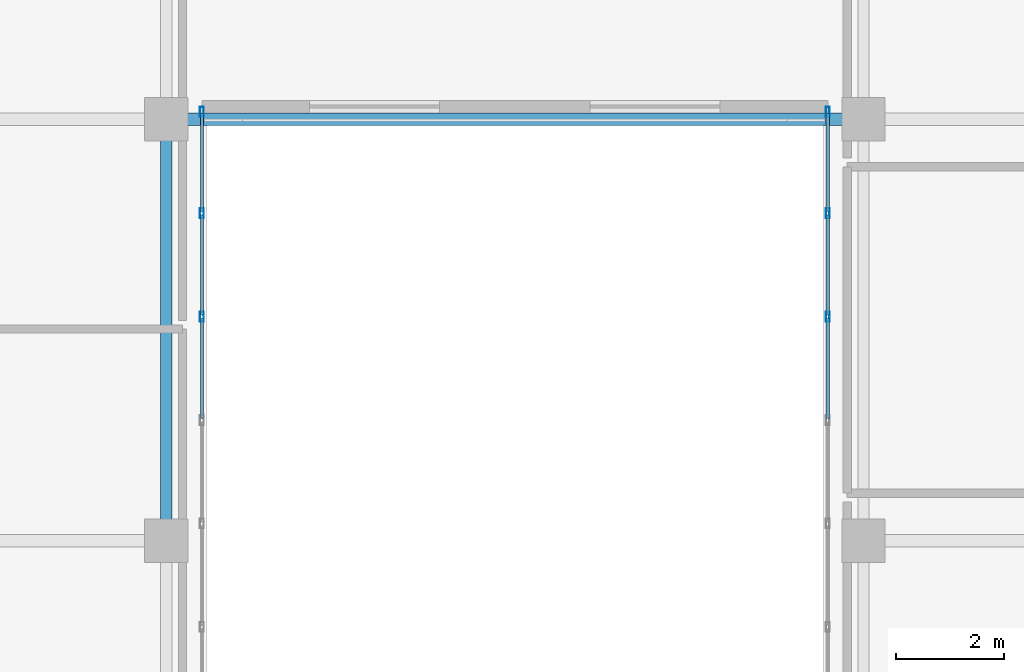
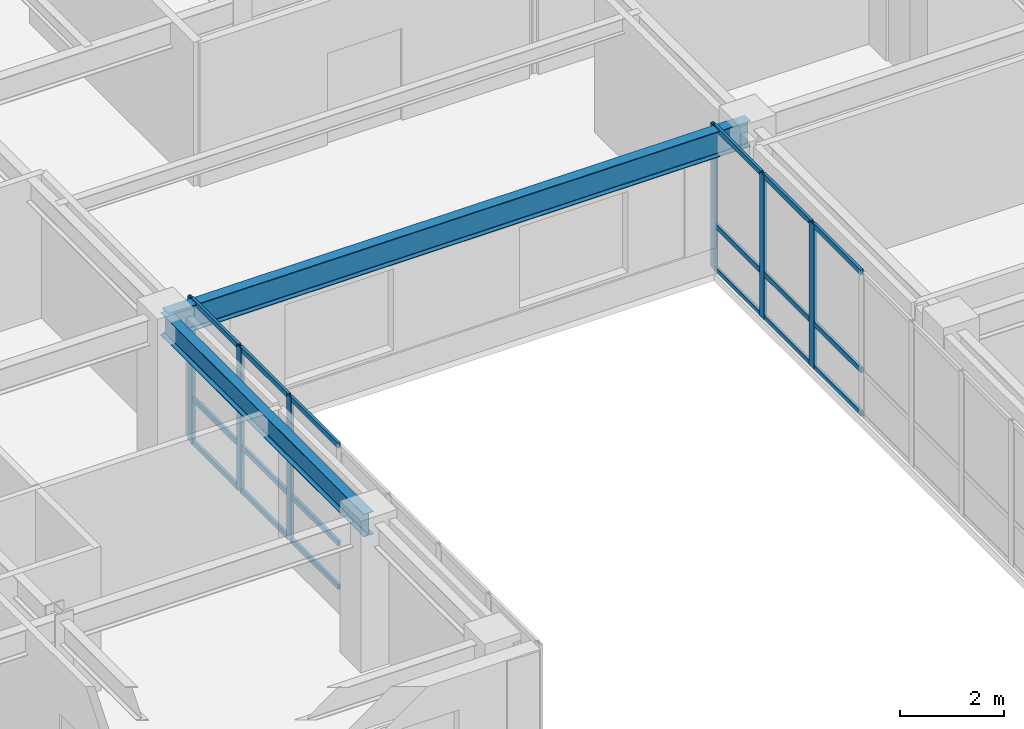
# One storey, part 8 of 28: 24 members, 2 beams, 2 elements without a shape of their own.
"""IFC4 building model written with IfcOpenShell, lengths in metres."""

from ifc_helpers import new_model, si_unit, direction, frame, origin, origin_2d, place, context, subcontext, project, spatial, hollow_rectangle, i_section, extrude, source, transform, mapped, material, layer, layer_set, material_profile, profile_set, type_object, type_shapes, element, aggregate, save


model = new_model("IFC4")

# Units and contexts
model_context = context("Model", 3, precision=1e-05, world=origin(), true_north=direction((0.0, 1.0)))
body_context = subcontext(model_context, "Body", "Model", "MODEL_VIEW")
ifc_project = project(units=[si_unit("LENGTHUNIT", "METRE"), si_unit("AREAUNIT", "SQUARE_METRE"), si_unit("VOLUMEUNIT", "CUBIC_METRE"), si_unit("PLANEANGLEUNIT", "RADIAN"), si_unit("MASSUNIT", "GRAM", prefix="KILO")], contexts=[model_context])

# Site, building, storey
site_placement = place(None, origin())
site = spatial("IfcSite", under=ifc_project, at=site_placement, CompositionType="ELEMENT")
building_placement = place(site_placement, origin())
building = spatial("IfcBuilding", under=site, at=building_placement, Name="Tolvann Quenvar Hotel", CompositionType="ELEMENT")
storey_placement = place(building_placement, frame((0.0, 0.0, 154.14990234375)))
storey = spatial("IfcBuildingStorey", under=building, at=storey_placement, Name="L40", CompositionType="ELEMENT", Elevation=154.14990234375)

# Beams
ifc_material_1 = material(Name="Steel Grade 350", Category="steel")
ifc_material_profile_1 = material_profile(ifc_material_1, i_section(OverallWidth=0.208984375, OverallDepth=0.532958984375, WebThickness=0.01025390625, FlangeThickness=0.015625, FilletRadius=0.013916015625, at=origin_2d()), Name="530UB92")
ifc_profile_set_1 = profile_set([ifc_material_profile_1], Name="Steel Grade 350")
beam_type_1 = type_object("IfcBeamType", Name="BM_GIRD_530UB92", PredefinedType="BEAM", material=ifc_profile_set_1)
shared_shape_1 = source(origin(), body_context, "Body", "SweptSolid", [
    extrude(i_section(OverallWidth=0.208984375, OverallDepth=0.532958984375, WebThickness=0.01025390625, FlangeThickness=0.015625, FilletRadius=0.013916015625, at=origin_2d()), origin(), (0.0, 0.0, 1.0), 7.800048828125),
])
type_shapes(beam_type_1, [shared_shape_1])
beam_1_placement = place(storey_placement, frame((22.050048828125, 8.199951171875, 3.103515625), z_axis=(0.0, 1.0, 0.0), x_axis=(-1.0, 0.0, 0.0)))
element("IfcBeam", 1, at=beam_1_placement, inside=storey, type_object=beam_type_1, Name="BM-L40-NS-E3-E4", PredefinedType="BEAM", context=body_context, shape_type="MappedRepresentation", body=[
    mapped(shared_shape_1, transform((0.0, 0.0, 0.0), x_axis=(1.0, 0.0, 0.0), y_axis=(0.0, 1.0, 0.0), z_axis=(0.0, 0.0, 1.0), scale=1.0)),
])
ifc_material_profile_2 = material_profile(ifc_material_1, i_section(OverallWidth=0.22802734375, OverallDepth=0.60205078125, WebThickness=0.010498046875, FlangeThickness=0.014892578125, FilletRadius=0.013916015625, at=origin_2d()), Name="610UB101")
ifc_profile_set_2 = profile_set([ifc_material_profile_2], Name="Steel Grade 350")
beam_type_2 = type_object("IfcBeamType", Name="BM_GIRD_610UB101", PredefinedType="BEAM", material=ifc_profile_set_2)
shared_shape_2 = source(origin(), body_context, "Body", "SweptSolid", [
    extrude(i_section(OverallWidth=0.22802734375, OverallDepth=0.60205078125, WebThickness=0.010498046875, FlangeThickness=0.014892578125, FilletRadius=0.013916015625, at=origin_2d()), origin(), (0.0, 0.0, 1.0), 12.89990234375),
])
type_shapes(beam_type_2, [shared_shape_2])
beam_2_placement = place(storey_placement, frame((22.050048828125, 16.0, 3.069091796875), z_axis=(1.0, 0.0, 0.0), x_axis=(0.0, 1.0, 0.0)))
element("IfcBeam", 2, at=beam_2_placement, inside=storey, type_object=beam_type_2, Name="BM-L40-EW-4-E4-F4", PredefinedType="BEAM", context=body_context, shape_type="MappedRepresentation", body=[
    mapped(shared_shape_2, transform((0.0, 0.0, 0.0), x_axis=(1.0, 0.0, 0.0), y_axis=(0.0, 1.0, 0.0), z_axis=(0.0, 0.0, 1.0), scale=1.0)),
])

# Curtain wall, members
ifc_material_2 = material(Name="Thermally broken anodised architectural aluminium 6063-T6 and laminated low-E glass", Category="aluminium")
ifc_layer = layer(ifc_material_2, 0.179931640625)
ifc_layer_set = layer_set([ifc_layer], Name="Thermally broken anodised architectural aluminium 6063-T6 and laminated low-E glass")
curtain_wall_type = type_object("IfcCurtainWallType", Name="CW_SYS_SLOT_03", PredefinedType="USERDEFINED", material=ifc_layer_set)
curtain_wall_1_placement = place(storey_placement, origin())
curtain_wall_1 = element("IfcCurtainWall", 3, at=curtain_wall_1_placement, inside=storey, type_object=curtain_wall_type, Name="Curtain Wall CW-SLOT-03 (CWR-L40-E05)", ObjectType="UNITISED CURTAIN WALL", PredefinedType="USERDEFINED")
ifc_material_3 = material(Name="Anodised architectural aluminium 6063-T6 framing", Category="aluminium")
ifc_material_profile_3 = material_profile(ifc_material_3, hollow_rectangle(XDim=0.070068359375, YDim=0.179931640625, WallThickness=0.00390625, at=origin_2d()), Name="180x70x4RHS")
ifc_profile_set_3 = profile_set([ifc_material_profile_3], Name="Anodised architectural aluminium 6063-T6 framing")
member_type_1 = type_object("IfcMemberType", Name="CW_MULL_180x70", PredefinedType="MULLION", material=ifc_profile_set_3)
shared_shape_3 = source(origin(), body_context, "Body", "SweptSolid", [
    extrude(hollow_rectangle(XDim=0.070068359375, YDim=0.179931640625, WallThickness=0.00390625, at=origin_2d()), origin(), (0.0, 0.0, 1.0), 3.3701171875),
])
type_shapes(member_type_1, [shared_shape_3])
member_1_placement = place(storey_placement, frame((22.7099609375, 12.346435546875, 0.0), z_axis=(0.0, 0.0, 1.0), x_axis=(-1.0, 0.0, 0.0)))
member_1 = element("IfcMember", 4, at=member_1_placement, type_object=member_type_1, Name="CW-SLOT-03 mullion 6", PredefinedType="MULLION", context=body_context, shape_type="MappedRepresentation", body=[
    mapped(shared_shape_3, transform((0.0, 0.0, 0.0), x_axis=(1.0, 0.0, 0.0), y_axis=(0.0, 1.0, 0.0), z_axis=(0.0, 0.0, 1.0), scale=1.0)),
])
member_2_placement = place(storey_placement, frame((22.7099609375, 14.2607421875, 0.0), z_axis=(0.0, 0.0, 1.0), x_axis=(-1.0, 0.0, 0.0)))
member_2 = element("IfcMember", 5, at=member_2_placement, type_object=member_type_1, Name="CW-SLOT-03 mullion 7", PredefinedType="MULLION", context=body_context, shape_type="MappedRepresentation", body=[
    mapped(shared_shape_3, transform((0.0, 0.0, 0.0), x_axis=(1.0, 0.0, 0.0), y_axis=(0.0, 1.0, 0.0), z_axis=(0.0, 0.0, 1.0), scale=1.0)),
])
member_3_placement = place(storey_placement, frame((22.7099609375, 16.139892578125, 0.0), z_axis=(0.0, 0.0, 1.0), x_axis=(-1.0, 0.0, 0.0)))
member_3 = element("IfcMember", 6, at=member_3_placement, type_object=member_type_1, Name="CW-SLOT-03 mullion 8", PredefinedType="MULLION", context=body_context, shape_type="MappedRepresentation", body=[
    mapped(shared_shape_3, transform((0.0, 0.0, 0.0), x_axis=(1.0, 0.0, 0.0), y_axis=(0.0, 1.0, 0.0), z_axis=(0.0, 0.0, 1.0), scale=1.0)),
])

curtain_wall_2_placement = place(storey_placement, origin())
curtain_wall_2 = element("IfcCurtainWall", 7, at=curtain_wall_2_placement, inside=storey, type_object=curtain_wall_type, Name="Curtain Wall CW-SLOT-03 (CWR-L40-E07)", ObjectType="UNITISED CURTAIN WALL", PredefinedType="USERDEFINED")
member_4_placement = place(storey_placement, frame((34.2900390625, 16.139892578125, 0.0), z_axis=(0.0, 0.0, 1.0), x_axis=(1.0, 0.0, 0.0)))
member_4 = element("IfcMember", 8, at=member_4_placement, type_object=member_type_1, Name="CW-SLOT-03 mullion 1", PredefinedType="MULLION", context=body_context, shape_type="MappedRepresentation", body=[
    mapped(shared_shape_3, transform((0.0, 0.0, 0.0), x_axis=(1.0, 0.0, 0.0), y_axis=(0.0, 1.0, 0.0), z_axis=(0.0, 0.0, 1.0), scale=1.0)),
])
member_5_placement = place(storey_placement, frame((34.2900390625, 14.2607421875, 0.0), z_axis=(0.0, 0.0, 1.0), x_axis=(1.0, 0.0, 0.0)))
member_5 = element("IfcMember", 9, at=member_5_placement, type_object=member_type_1, Name="CW-SLOT-03 mullion 2", PredefinedType="MULLION", context=body_context, shape_type="MappedRepresentation", body=[
    mapped(shared_shape_3, transform((0.0, 0.0, 0.0), x_axis=(1.0, 0.0, 0.0), y_axis=(0.0, 1.0, 0.0), z_axis=(0.0, 0.0, 1.0), scale=1.0)),
])
member_6_placement = place(storey_placement, frame((34.2900390625, 12.346435546875, 0.0), z_axis=(0.0, 0.0, 1.0), x_axis=(1.0, 0.0, 0.0)))
member_6 = element("IfcMember", 10, at=member_6_placement, type_object=member_type_1, Name="CW-SLOT-03 mullion 3", PredefinedType="MULLION", context=body_context, shape_type="MappedRepresentation", body=[
    mapped(shared_shape_3, transform((0.0, 0.0, 0.0), x_axis=(1.0, 0.0, 0.0), y_axis=(0.0, 1.0, 0.0), z_axis=(0.0, 0.0, 1.0), scale=1.0)),
])

# Member
ifc_material_profile_4 = material_profile(ifc_material_3, hollow_rectangle(XDim=0.06005859375, YDim=0.1201171875, WallThickness=0.00341796875, at=origin_2d()), Name="120x60x3.5RHS")
ifc_profile_set_4 = profile_set([ifc_material_profile_4], Name="Anodised architectural aluminium 6063-T6 framing")
member_type_2 = type_object("IfcMemberType", Name="CW_TRAN_120x60", PredefinedType="USERDEFINED", material=ifc_profile_set_4)
shared_shape_4 = source(origin(), body_context, "Body", "SweptSolid", [
    extrude(hollow_rectangle(XDim=0.06005859375, YDim=0.1201171875, WallThickness=0.00341796875, at=origin_2d()), origin(), (0.0, 0.0, 1.0), 1.809326171875),
])
member_7_placement = place(storey_placement, frame((22.7099609375, 14.295654296875, 0.030029296875), z_axis=(0.0, 1.0, 0.0), x_axis=(-1.0, 0.0, 0.0)))
member_7 = element("IfcMember", 11, at=member_7_placement, type_object=member_type_2, Name="CW-SLOT-03 transom 7.1", ObjectType="TRANSOM", PredefinedType="USERDEFINED", context=body_context, shape_type="MappedRepresentation", body=[
    mapped(shared_shape_4, transform((0.0, 0.0, 0.0), x_axis=(1.0, 0.0, 0.0), y_axis=(0.0, 1.0, 0.0), z_axis=(0.0, 0.0, 1.0), scale=1.0)),
])

member_8_placement = place(storey_placement, frame((22.7099609375, 14.295654296875, 1.050048828125), z_axis=(0.0, 1.0, 0.0), x_axis=(-1.0, 0.0, 0.0)))
member_8 = element("IfcMember", 12, at=member_8_placement, type_object=member_type_2, Name="CW-SLOT-03 transom 7.2", ObjectType="TRANSOM", PredefinedType="USERDEFINED", context=body_context, shape_type="MappedRepresentation", body=[
    mapped(shared_shape_4, transform((0.0, 0.0, 0.0), x_axis=(1.0, 0.0, 0.0), y_axis=(0.0, 1.0, 0.0), z_axis=(0.0, 0.0, 1.0), scale=1.0)),
])

member_9_placement = place(storey_placement, frame((22.7099609375, 14.295654296875, 3.340087890625), z_axis=(0.0, 1.0, 0.0), x_axis=(-1.0, 0.0, 0.0)))
member_9 = element("IfcMember", 13, at=member_9_placement, type_object=member_type_2, Name="CW-SLOT-03 transom 7.3", ObjectType="TRANSOM", PredefinedType="USERDEFINED", context=body_context, shape_type="MappedRepresentation", body=[
    mapped(shared_shape_4, transform((0.0, 0.0, 0.0), x_axis=(1.0, 0.0, 0.0), y_axis=(0.0, 1.0, 0.0), z_axis=(0.0, 0.0, 1.0), scale=1.0)),
])

member_10_placement = place(storey_placement, frame((34.2900390625, 16.10498046875, 0.030029296875), z_axis=(0.0, -1.0, 0.0), x_axis=(1.0, 0.0, 0.0)))
member_10 = element("IfcMember", 14, at=member_10_placement, type_object=member_type_2, Name="CW-SLOT-03 transom 1.1", ObjectType="TRANSOM", PredefinedType="USERDEFINED", context=body_context, shape_type="MappedRepresentation", body=[
    mapped(shared_shape_4, transform((0.0, 0.0, 0.0), x_axis=(1.0, 0.0, 0.0), y_axis=(0.0, 1.0, 0.0), z_axis=(0.0, 0.0, 1.0), scale=1.0)),
])

member_11_placement = place(storey_placement, frame((34.2900390625, 16.10498046875, 1.050048828125), z_axis=(0.0, -1.0, 0.0), x_axis=(1.0, 0.0, 0.0)))
member_11 = element("IfcMember", 15, at=member_11_placement, type_object=member_type_2, Name="CW-SLOT-03 transom 1.2", ObjectType="TRANSOM", PredefinedType="USERDEFINED", context=body_context, shape_type="MappedRepresentation", body=[
    mapped(shared_shape_4, transform((0.0, 0.0, 0.0), x_axis=(1.0, 0.0, 0.0), y_axis=(0.0, 1.0, 0.0), z_axis=(0.0, 0.0, 1.0), scale=1.0)),
])

member_12_placement = place(storey_placement, frame((34.2900390625, 16.10498046875, 3.340087890625), z_axis=(0.0, -1.0, 0.0), x_axis=(1.0, 0.0, 0.0)))
member_12 = element("IfcMember", 16, at=member_12_placement, type_object=member_type_2, Name="CW-SLOT-03 transom 1.3", ObjectType="TRANSOM", PredefinedType="USERDEFINED", context=body_context, shape_type="MappedRepresentation", body=[
    mapped(shared_shape_4, transform((0.0, 0.0, 0.0), x_axis=(1.0, 0.0, 0.0), y_axis=(0.0, 1.0, 0.0), z_axis=(0.0, 0.0, 1.0), scale=1.0)),
])

shared_shape_5 = source(origin(), body_context, "Body", "SweptSolid", [
    extrude(hollow_rectangle(XDim=0.06005859375, YDim=0.1201171875, WallThickness=0.00341796875, at=origin_2d()), origin(), (0.0, 0.0, 1.0), 1.844482421875),
])
type_shapes(member_type_2, [shared_shape_4, shared_shape_5])
member_13_placement = place(storey_placement, frame((22.7099609375, 10.467041015625, 0.030029296875), z_axis=(0.0, 1.0, 0.0), x_axis=(-1.0, 0.0, 0.0)))
member_13 = element("IfcMember", 17, at=member_13_placement, type_object=member_type_2, Name="CW-SLOT-03 transom 5.1", ObjectType="TRANSOM", PredefinedType="USERDEFINED", context=body_context, shape_type="MappedRepresentation", body=[
    mapped(shared_shape_5, transform((0.0, 0.0, 0.0), x_axis=(1.0, 0.0, 0.0), y_axis=(0.0, 1.0, 0.0), z_axis=(0.0, 0.0, 1.0), scale=1.0)),
])

member_14_placement = place(storey_placement, frame((22.7099609375, 10.467041015625, 1.050048828125), z_axis=(0.0, 1.0, 0.0), x_axis=(-1.0, 0.0, 0.0)))
member_14 = element("IfcMember", 18, at=member_14_placement, type_object=member_type_2, Name="CW-SLOT-03 transom 5.2", ObjectType="TRANSOM", PredefinedType="USERDEFINED", context=body_context, shape_type="MappedRepresentation", body=[
    mapped(shared_shape_5, transform((0.0, 0.0, 0.0), x_axis=(1.0, 0.0, 0.0), y_axis=(0.0, 1.0, 0.0), z_axis=(0.0, 0.0, 1.0), scale=1.0)),
])

member_15_placement = place(storey_placement, frame((22.7099609375, 10.467041015625, 3.340087890625), z_axis=(0.0, 1.0, 0.0), x_axis=(-1.0, 0.0, 0.0)))
member_15 = element("IfcMember", 19, at=member_15_placement, type_object=member_type_2, Name="CW-SLOT-03 transom 5.3", ObjectType="TRANSOM", PredefinedType="USERDEFINED", context=body_context, shape_type="MappedRepresentation", body=[
    mapped(shared_shape_5, transform((0.0, 0.0, 0.0), x_axis=(1.0, 0.0, 0.0), y_axis=(0.0, 1.0, 0.0), z_axis=(0.0, 0.0, 1.0), scale=1.0)),
])

member_16_placement = place(storey_placement, frame((22.7099609375, 12.38134765625, 0.030029296875), z_axis=(0.0, 1.0, 0.0), x_axis=(-1.0, 0.0, 0.0)))
member_16 = element("IfcMember", 20, at=member_16_placement, type_object=member_type_2, Name="CW-SLOT-03 transom 6.1", ObjectType="TRANSOM", PredefinedType="USERDEFINED", context=body_context, shape_type="MappedRepresentation", body=[
    mapped(shared_shape_5, transform((0.0, 0.0, 0.0), x_axis=(1.0, 0.0, 0.0), y_axis=(0.0, 1.0, 0.0), z_axis=(0.0, 0.0, 1.0), scale=1.0)),
])

member_17_placement = place(storey_placement, frame((22.7099609375, 12.38134765625, 1.050048828125), z_axis=(0.0, 1.0, 0.0), x_axis=(-1.0, 0.0, 0.0)))
member_17 = element("IfcMember", 21, at=member_17_placement, type_object=member_type_2, Name="CW-SLOT-03 transom 6.2", ObjectType="TRANSOM", PredefinedType="USERDEFINED", context=body_context, shape_type="MappedRepresentation", body=[
    mapped(shared_shape_5, transform((0.0, 0.0, 0.0), x_axis=(1.0, 0.0, 0.0), y_axis=(0.0, 1.0, 0.0), z_axis=(0.0, 0.0, 1.0), scale=1.0)),
])

member_18_placement = place(storey_placement, frame((22.7099609375, 12.38134765625, 3.340087890625), z_axis=(0.0, 1.0, 0.0), x_axis=(-1.0, 0.0, 0.0)))
member_18 = element("IfcMember", 22, at=member_18_placement, type_object=member_type_2, Name="CW-SLOT-03 transom 6.3", ObjectType="TRANSOM", PredefinedType="USERDEFINED", context=body_context, shape_type="MappedRepresentation", body=[
    mapped(shared_shape_5, transform((0.0, 0.0, 0.0), x_axis=(1.0, 0.0, 0.0), y_axis=(0.0, 1.0, 0.0), z_axis=(0.0, 0.0, 1.0), scale=1.0)),
])

aggregate(curtain_wall_1, [member_1, member_2, member_3, member_13, member_14, member_15, member_16, member_17, member_18, member_7, member_8, member_9])

member_19_placement = place(storey_placement, frame((34.2900390625, 14.225830078125, 0.030029296875), z_axis=(0.0, -1.0, 0.0), x_axis=(1.0, 0.0, 0.0)))
member_19 = element("IfcMember", 23, at=member_19_placement, type_object=member_type_2, Name="CW-SLOT-03 transom 2.1", ObjectType="TRANSOM", PredefinedType="USERDEFINED", context=body_context, shape_type="MappedRepresentation", body=[
    mapped(shared_shape_5, transform((0.0, 0.0, 0.0), x_axis=(1.0, 0.0, 0.0), y_axis=(0.0, 1.0, 0.0), z_axis=(0.0, 0.0, 1.0), scale=1.0)),
])

member_20_placement = place(storey_placement, frame((34.2900390625, 14.225830078125, 1.050048828125), z_axis=(0.0, -1.0, 0.0), x_axis=(1.0, 0.0, 0.0)))
member_20 = element("IfcMember", 24, at=member_20_placement, type_object=member_type_2, Name="CW-SLOT-03 transom 2.2", ObjectType="TRANSOM", PredefinedType="USERDEFINED", context=body_context, shape_type="MappedRepresentation", body=[
    mapped(shared_shape_5, transform((0.0, 0.0, 0.0), x_axis=(1.0, 0.0, 0.0), y_axis=(0.0, 1.0, 0.0), z_axis=(0.0, 0.0, 1.0), scale=1.0)),
])

member_21_placement = place(storey_placement, frame((34.2900390625, 14.225830078125, 3.340087890625), z_axis=(0.0, -1.0, 0.0), x_axis=(1.0, 0.0, 0.0)))
member_21 = element("IfcMember", 25, at=member_21_placement, type_object=member_type_2, Name="CW-SLOT-03 transom 2.3", ObjectType="TRANSOM", PredefinedType="USERDEFINED", context=body_context, shape_type="MappedRepresentation", body=[
    mapped(shared_shape_5, transform((0.0, 0.0, 0.0), x_axis=(1.0, 0.0, 0.0), y_axis=(0.0, 1.0, 0.0), z_axis=(0.0, 0.0, 1.0), scale=1.0)),
])

member_22_placement = place(storey_placement, frame((34.2900390625, 12.3115234375, 0.030029296875), z_axis=(0.0, -1.0, 0.0), x_axis=(1.0, 0.0, 0.0)))
member_22 = element("IfcMember", 26, at=member_22_placement, type_object=member_type_2, Name="CW-SLOT-03 transom 3.1", ObjectType="TRANSOM", PredefinedType="USERDEFINED", context=body_context, shape_type="MappedRepresentation", body=[
    mapped(shared_shape_5, transform((0.0, 0.0, 0.0), x_axis=(1.0, 0.0, 0.0), y_axis=(0.0, 1.0, 0.0), z_axis=(0.0, 0.0, 1.0), scale=1.0)),
])

member_23_placement = place(storey_placement, frame((34.2900390625, 12.3115234375, 1.050048828125), z_axis=(0.0, -1.0, 0.0), x_axis=(1.0, 0.0, 0.0)))
member_23 = element("IfcMember", 27, at=member_23_placement, type_object=member_type_2, Name="CW-SLOT-03 transom 3.2", ObjectType="TRANSOM", PredefinedType="USERDEFINED", context=body_context, shape_type="MappedRepresentation", body=[
    mapped(shared_shape_5, transform((0.0, 0.0, 0.0), x_axis=(1.0, 0.0, 0.0), y_axis=(0.0, 1.0, 0.0), z_axis=(0.0, 0.0, 1.0), scale=1.0)),
])

member_24_placement = place(storey_placement, frame((34.2900390625, 12.3115234375, 3.340087890625), z_axis=(0.0, -1.0, 0.0), x_axis=(1.0, 0.0, 0.0)))
member_24 = element("IfcMember", 28, at=member_24_placement, type_object=member_type_2, Name="CW-SLOT-03 transom 3.3", ObjectType="TRANSOM", PredefinedType="USERDEFINED", context=body_context, shape_type="MappedRepresentation", body=[
    mapped(shared_shape_5, transform((0.0, 0.0, 0.0), x_axis=(1.0, 0.0, 0.0), y_axis=(0.0, 1.0, 0.0), z_axis=(0.0, 0.0, 1.0), scale=1.0)),
])

aggregate(curtain_wall_2, [member_4, member_5, member_6, member_10, member_11, member_12, member_19, member_20, member_21, member_22, member_23, member_24])

save(model, "model.ifc")
